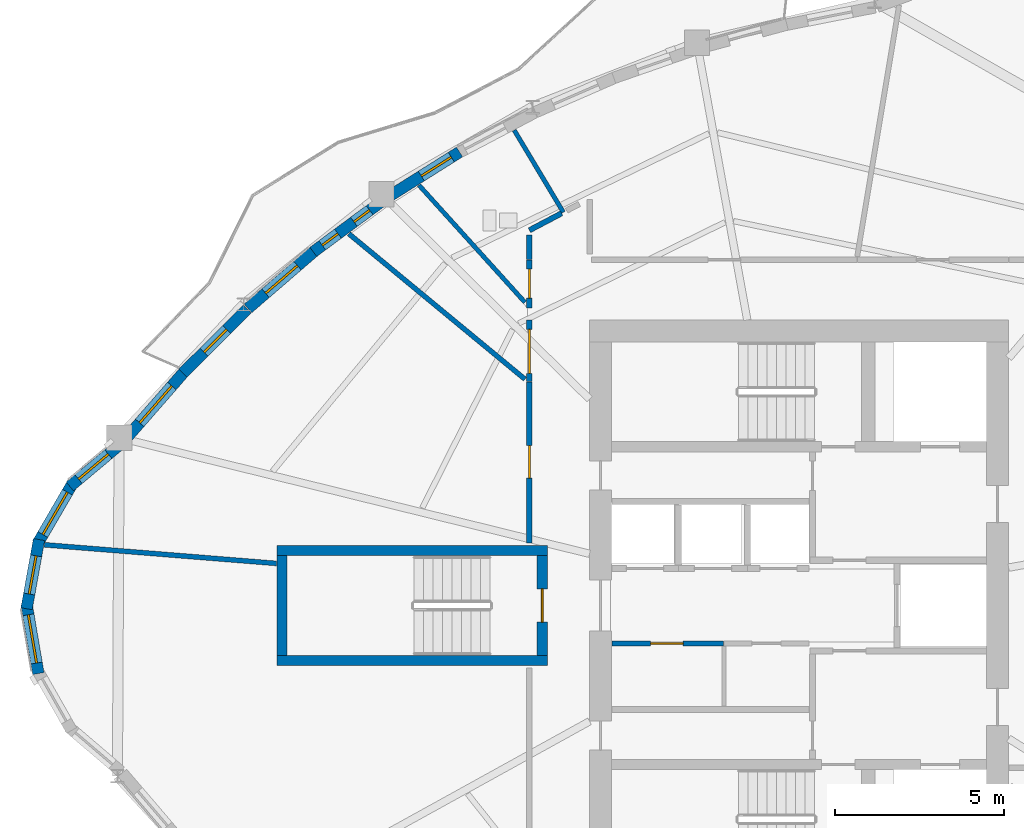
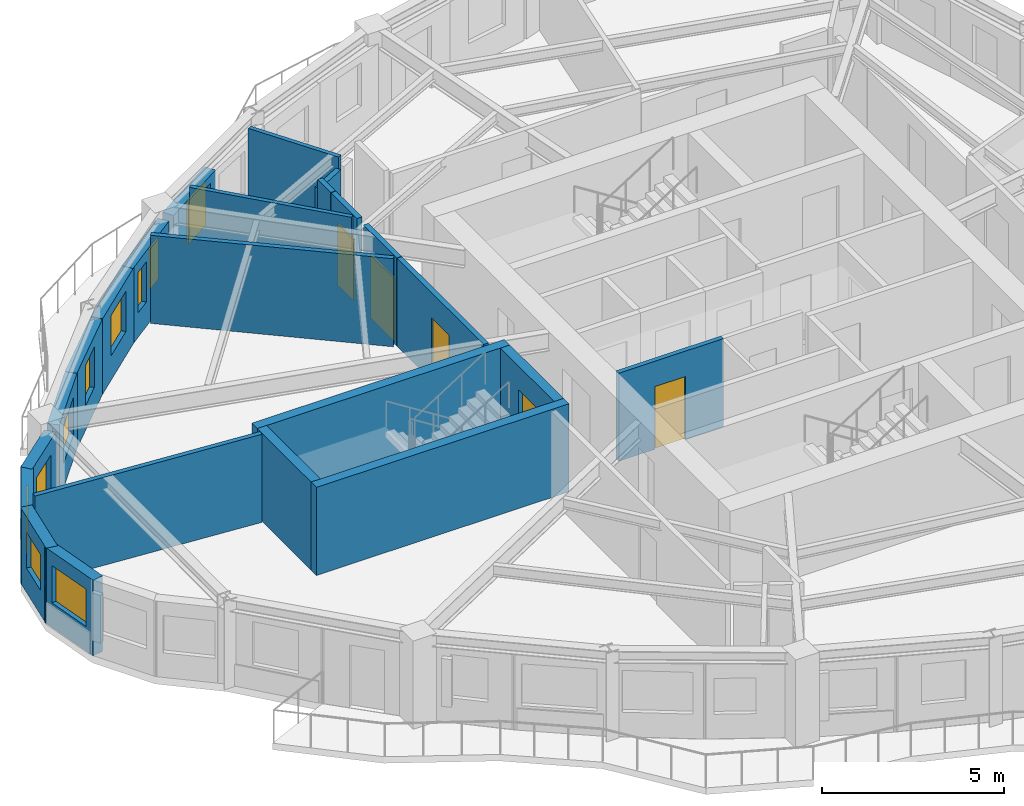
# One storey, part 4 of 11: 23 walls, 10 windows, 5 doors, 15 openings.
"""IFC4 building model written with IfcOpenShell, lengths in metres."""

from ifc_helpers import new_model, si_unit, direction, frame, frame_2d, origin, place, context, subcontext, project, spatial, rectangle, extrude, source, transform, mapped, material, layer, layer_set, type_object, element, fill, save


model = new_model("IFC4")

# Units and contexts
model_context = context("Model", 3, precision=1e-05, world=origin(), true_north=direction((0.0, 1.0)))
body_context = subcontext(model_context, "Body", "Model", "MODEL_VIEW")
ifc_project = project(units=[si_unit("LENGTHUNIT", "METRE"), si_unit("AREAUNIT", "SQUARE_METRE"), si_unit("VOLUMEUNIT", "CUBIC_METRE"), si_unit("PLANEANGLEUNIT", "RADIAN"), si_unit("MASSUNIT", "GRAM", prefix="KILO")], contexts=[model_context])

# Site, building, storey
site_placement = place(None, origin())
site = spatial("IfcSite", under=ifc_project, at=site_placement, CompositionType="ELEMENT")
building_placement = place(site_placement, origin())
building = spatial("IfcBuilding", under=site, at=building_placement, Name="Qafzar Sky-Pleat Residences", CompositionType="ELEMENT")
storey_placement = place(building_placement, frame((0.0, 0.0, 161.800048828125)))
storey = spatial("IfcBuildingStorey", under=building, at=storey_placement, Name="L48", CompositionType="ELEMENT", Elevation=161.800048828125)

# Wall, opening, door
ifc_material_1 = material(Name="Acoustic gypsum plasterboard partition", Category="gypsum")
ifc_layer_1 = layer(ifc_material_1, 0.159912109375)
ifc_layer_set_1 = layer_set([ifc_layer_1], Name="Acoustic gypsum plasterboard partition")
wall_type_1 = type_object("IfcWallType", Name="PART-COR-160", PredefinedType="PARTITIONING", material=ifc_layer_set_1)
wall_1_placement = place(storey_placement, frame((22.3701171875, 27.85009765625, 0.0), z_axis=(0.0, 0.0, 1.0), x_axis=(0.0, 1.0, 0.0)))
wall_1 = element("IfcWall", 1, at=wall_1_placement, inside=storey, type_object=wall_type_1, Name="L48 Partition Wall PART-L48-PW-004", PredefinedType="PARTITIONING", context=body_context, shape_type="SweptSolid", body=[
    extrude(rectangle(XDim=4.7587890625, YDim=0.159912109375, at=frame_2d((2.37939453125, 0.0))), origin(), (0.0, 0.0, 1.0), 2.949951171875),
])
opening_1_placement = place(wall_1_placement, frame((1.9189453125, 0.0, 0.0)))
opening_1 = element("IfcOpeningElement", 2, at=opening_1_placement, cuts=wall_1, Name="Opening ID-06", PredefinedType="OPENING", context=body_context, shape_type="SweptSolid", body=[
    extrude(rectangle(XDim=0.9599609375, YDim=2.10009765625, at=frame_2d((0.47998046875, 1.050048828125))), frame((0.0, 0.08984375, 0.0), z_axis=(0.0, -1.0, 0.0), x_axis=(1.0, 0.0, 0.0)), (0.0, 0.0, 1.0), 0.179931640625),
])
ifc_material_2 = material(Name="Timber-faced fire door", Category="wood")
door_type_1 = type_object("IfcDoorType", Name="DR-STD-960", OperationType="NOTDEFINED", PredefinedType="DOOR", material=ifc_material_2)
shared_shape_1 = source(origin(), body_context, "Body", "SweptSolid", [
    extrude(rectangle(XDim=0.9599609375, YDim=2.10009765625, at=frame_2d((0.47998046875, 1.050048828125))), frame((0.0, 0.02490234375, 0.0), z_axis=(0.0, -1.0, 0.0), x_axis=(1.0, 0.0, 0.0)), (0.0, 0.0, 1.0), 0.050048828125),
])
door_1_placement = place(opening_1_placement, origin())
door_1 = element("IfcDoor", 3, at=door_1_placement, inside=storey, type_object=door_type_1, Name="L48 Graduate Desk Workspace Door", OperationType="SINGLE_SWING_RIGHT", OverallHeight=2.10009765625, OverallWidth=0.9599609375, PredefinedType="DOOR", context=body_context, shape_type="MappedRepresentation", body=[
    mapped(shared_shape_1, transform((0.0, 0.0, 0.0), x_axis=(1.0, 0.0, 0.0), y_axis=(0.0, 1.0, 0.0), z_axis=(0.0, 0.0, 1.0), scale=1.0)),
])
fill(opening_1, door_1)

wall_2_placement = place(storey_placement, frame((22.3701171875, 32.6240234375, 0.0), z_axis=(0.0, 0.0, 1.0), x_axis=(0.0, 1.0, 0.0)))
wall_2 = element("IfcWall", 4, at=wall_2_placement, inside=storey, type_object=wall_type_1, Name="L48 Partition Wall PART-L48-PW-009", PredefinedType="PARTITIONING", context=body_context, shape_type="SweptSolid", body=[
    extrude(rectangle(XDim=1.825927734375, YDim=0.159912109375, at=frame_2d((0.9130859375, 0.0))), origin(), (0.0, 0.0, 1.0), 2.949951171875),
])
opening_2_placement = place(wall_2_placement, frame((0.24560546875, 0.0, 0.0)))
opening_2 = element("IfcOpeningElement", 5, at=opening_2_placement, cuts=wall_2, Name="Opening ID-05", PredefinedType="OPENING", context=body_context, shape_type="SweptSolid", body=[
    extrude(rectangle(XDim=1.300048828125, YDim=2.10009765625, at=frame_2d((0.64990234375, 1.050048828125))), frame((0.0, 0.08984375, 0.0), z_axis=(0.0, -1.0, 0.0), x_axis=(1.0, 0.0, 0.0)), (0.0, 0.0, 1.0), 0.179931640625),
])
door_type_2 = type_object("IfcDoorType", Name="DR-LNG-1300", OperationType="DOUBLE_DOOR_SINGLE_SWING", PredefinedType="DOOR", material=ifc_material_2)
shared_shape_2 = source(origin(), body_context, "Body", "SweptSolid", [
    extrude(rectangle(XDim=1.300048828125, YDim=2.10009765625, at=frame_2d((0.64990234375, 1.050048828125))), frame((0.0, 0.02490234375, 0.0), z_axis=(0.0, -1.0, 0.0), x_axis=(1.0, 0.0, 0.0)), (0.0, 0.0, 1.0), 0.050048828125),
])
door_2_placement = place(opening_2_placement, origin())
door_2 = element("IfcDoor", 6, at=door_2_placement, inside=storey, type_object=door_type_2, Name="L48 Scholar Study Room Door", OperationType="DOUBLE_DOOR_SINGLE_SWING", OverallHeight=2.10009765625, OverallWidth=1.300048828125, PredefinedType="DOOR", context=body_context, shape_type="MappedRepresentation", body=[
    mapped(shared_shape_2, transform((0.0, 0.0, 0.0), x_axis=(1.0, 0.0, 0.0), y_axis=(0.0, 1.0, 0.0), z_axis=(0.0, 0.0, 1.0), scale=1.0)),
])
fill(opening_2, door_2)

wall_3_placement = place(storey_placement, frame((22.3701171875, 34.802978515625, 0.0), z_axis=(0.0, 0.0, 1.0), x_axis=(0.0, 1.0, 0.0)))
wall_3 = element("IfcWall", 7, at=wall_3_placement, inside=storey, type_object=wall_type_1, Name="L48 Partition Wall PART-L48-PW-010", PredefinedType="PARTITIONING", context=body_context, shape_type="SweptSolid", body=[
    extrude(rectangle(XDim=1.427001953125, YDim=0.159912109375, at=frame_2d((0.71337890625, 0.0))), origin(), (0.0, 0.0, 1.0), 2.949951171875),
])
opening_3_placement = place(wall_3_placement, frame((0.294921875, 0.0, 0.0)))
opening_3 = element("IfcOpeningElement", 8, at=opening_3_placement, cuts=wall_3, Name="Opening ID-09", PredefinedType="OPENING", context=body_context, shape_type="SweptSolid", body=[
    extrude(rectangle(XDim=0.860107421875, YDim=2.050048828125, at=frame_2d((0.43017578125, 1.02490234375))), frame((0.0, 0.08984375, 0.0), z_axis=(0.0, -1.0, 0.0), x_axis=(1.0, 0.0, 0.0)), (0.0, 0.0, 1.0), 0.179931640625),
])
door_type_3 = type_object("IfcDoorType", Name="DR-SVC-860", OperationType="NOTDEFINED", PredefinedType="DOOR", material=ifc_material_2)
shared_shape_3 = source(origin(), body_context, "Body", "SweptSolid", [
    extrude(rectangle(XDim=0.860107421875, YDim=2.050048828125, at=frame_2d((0.43017578125, 1.02490234375))), frame((0.0, 0.02490234375, 0.0), z_axis=(0.0, -1.0, 0.0), x_axis=(1.0, 0.0, 0.0)), (0.0, 0.0, 1.0), 0.050048828125),
])
door_3_placement = place(opening_3_placement, origin())
door_3 = element("IfcDoor", 9, at=door_3_placement, inside=storey, type_object=door_type_3, Name="L48 Accessible Shared Washroom Door", OperationType="SINGLE_SWING_RIGHT", OverallHeight=2.050048828125, OverallWidth=0.860107421875, PredefinedType="DOOR", context=body_context, shape_type="MappedRepresentation", body=[
    mapped(shared_shape_3, transform((0.0, 0.0, 0.0), x_axis=(1.0, 0.0, 0.0), y_axis=(0.0, 1.0, 0.0), z_axis=(0.0, 0.0, 1.0), scale=1.0)),
])
fill(opening_3, door_3)

# Walls
wall_4_placement = place(storey_placement, frame((22.3701171875, 37.10498046875, 0.0), z_axis=(0.0, 0.0, 1.0), x_axis=(0.884455008011, 0.466625480234, 0.0)))
element("IfcWall", 10, at=wall_4_placement, inside=storey, type_object=wall_type_1, Name="L48 Partition Wall PART-L48-PW-025", PredefinedType="PARTITIONING", context=body_context, shape_type="SweptSolid", body=[
    extrude(rectangle(XDim=1.07568359375, YDim=0.159912109375, at=frame_2d((0.537841796875, 0.0))), origin(), (0.0, 0.0, 1.0), 2.557861328125),
])
wall_5_placement = place(storey_placement, frame((22.3701171875, 36.2451171875, 0.0), z_axis=(0.0, 0.0, 1.0), x_axis=(0.0, 1.0, 0.0)))
element("IfcWall", 11, at=wall_5_placement, inside=storey, type_object=wall_type_1, Name="L48 Partition Wall PART-L48-PW-027", PredefinedType="PARTITIONING", context=body_context, shape_type="SweptSolid", body=[
    extrude(rectangle(XDim=0.71923828125, YDim=0.159912109375, at=frame_2d((0.359619140625, 0.0))), origin(), (0.0, 0.0, 1.0), 2.949951171875),
])

# Wall, opening, door
ifc_layer_2 = layer(ifc_material_1, 0.14501953125)
ifc_layer_set_2 = layer_set([ifc_layer_2], Name="Acoustic gypsum plasterboard partition")
wall_type_2 = type_object("IfcWallType", Name="PART-UNIT-145", PredefinedType="PARTITIONING", material=ifc_layer_set_2)
wall_6_placement = place(storey_placement, frame((24.81005859375, 24.8798828125, 0.0), z_axis=(0.0, 0.0, 1.0), x_axis=(1.0, 0.0, 0.0)))
wall_6 = element("IfcWall", 12, at=wall_6_placement, inside=storey, type_object=wall_type_2, Name="L48 Partition Wall PART-L48-RECLAIM-N1", PredefinedType="PARTITIONING", context=body_context, shape_type="SweptSolid", body=[
    extrude(rectangle(XDim=3.31005859375, YDim=0.14501953125, at=frame_2d((1.655029296875, 0.0))), origin(), (0.0, 0.0, 1.0), 2.949951171875),
])
opening_4_placement = place(wall_6_placement, frame((1.14990234375, 0.0, 0.0)))
opening_4 = element("IfcOpeningElement", 13, at=opening_4_placement, cuts=wall_6, Name="Opening ID-06", PredefinedType="OPENING", context=body_context, shape_type="SweptSolid", body=[
    extrude(rectangle(XDim=0.9599609375, YDim=2.10009765625, at=frame_2d((0.47998046875, 1.050048828125))), frame((0.0, 0.08251953125, 0.0), z_axis=(0.0, -1.0, 0.0), x_axis=(1.0, 0.0, 0.0)), (0.0, 0.0, 1.0), 0.1650390625),
])
door_4_placement = place(opening_4_placement, origin())
door_4 = element("IfcDoor", 14, at=door_4_placement, inside=storey, type_object=door_type_1, Name="L48 Reclaimed Quiet Study Room Door", OperationType="SINGLE_SWING_LEFT", OverallHeight=2.10009765625, OverallWidth=0.9599609375, PredefinedType="DOOR", context=body_context, shape_type="MappedRepresentation", body=[
    mapped(shared_shape_1, transform((0.0, 0.0, 0.0), x_axis=(1.0, 0.0, 0.0), y_axis=(0.0, 1.0, 0.0), z_axis=(0.0, 0.0, 1.0), scale=1.0)),
])
fill(opening_4, door_4)

# Walls
wall_7_placement = place(storey_placement, frame((17.028076171875, 36.999755859375, 0.0), z_axis=(0.0, 0.0, 1.0), x_axis=(0.771119105053, -0.636690918596, 0.0)))
element("IfcWall", 15, at=wall_7_placement, inside=storey, type_object=wall_type_2, Name="L48 Partition Wall PART-L48-PW-013", PredefinedType="PARTITIONING", context=body_context, shape_type="SweptSolid", body=[
    extrude(rectangle(XDim=6.756103515625, YDim=0.14501953125, at=frame_2d((3.3779296875, 0.0))), origin(), (0.0, 0.0, 1.0), 2.949951171875),
])
wall_8_placement = place(storey_placement, frame((8.015380859375, 27.79736328125, 0.0), z_axis=(0.0, 0.0, 1.0), x_axis=(0.996785477909, -0.080116858581, 0.0)))
element("IfcWall", 16, at=wall_8_placement, inside=storey, type_object=wall_type_2, Name="L48 Partition Wall PART-L48-PW-014", PredefinedType="PARTITIONING", context=body_context, shape_type="SweptSolid", body=[
    extrude(rectangle(XDim=6.89306640625, YDim=0.14501953125, at=frame_2d((3.446533203125, 0.0))), origin(), (0.0, 0.0, 1.0), 2.949951171875),
])
ifc_material_3 = material(Name="Moisture-resistant gypsum partition", Category="gypsum")
ifc_layer_3 = layer(ifc_material_3, 0.1298828125)
ifc_layer_set_3 = layer_set([ifc_layer_3], Name="Moisture-resistant gypsum partition")
wall_type_3 = type_object("IfcWallType", Name="PART-WET-130", PredefinedType="PARTITIONING", material=ifc_layer_set_3)
wall_9_placement = place(storey_placement, frame((19.100830078125, 38.441162109375, 0.0), z_axis=(0.0, 0.0, 1.0), x_axis=(0.670702711046, -0.741726279295, 0.0)))
element("IfcWall", 17, at=wall_9_placement, inside=storey, type_object=wall_type_3, Name="L48 Partition Wall PART-L48-PW-017", PredefinedType="PARTITIONING", context=body_context, shape_type="SweptSolid", body=[
    extrude(rectangle(XDim=4.675048828125, YDim=0.1298828125, at=frame_2d((2.33740234375, 0.0))), origin(), (0.0, 0.0, 1.0), 2.949951171875),
])
wall_10_placement = place(storey_placement, frame((21.920166015625, 40.065185546875, 0.0), z_axis=(0.0, 0.0, 1.0), x_axis=(0.514051974364, -0.857759038223, 0.0)))
element("IfcWall", 18, at=wall_10_placement, inside=storey, type_object=wall_type_3, Name="L48 Partition Wall PART-L48-PW-019", PredefinedType="PARTITIONING", context=body_context, shape_type="SweptSolid", body=[
    extrude(rectangle(XDim=2.83203125, YDim=0.1298828125, at=frame_2d((1.416015625, 0.0))), origin(), (0.0, 0.0, 1.0), 2.949951171875),
])

# Wall, opening, window
ifc_material_4 = material(Name="Precast concrete C40/50 with honed Riyadh limestone", Category="concrete")
ifc_layer_4 = layer(ifc_material_4, 0.340087890625)
ifc_layer_set_4 = layer_set([ifc_layer_4], Name="Precast concrete C40/50 with honed Riyadh limestone")
wall_type_4 = type_object("IfcWallType", Name="WALL-EXT-340", PredefinedType="SOLIDWALL", material=ifc_layer_set_4)
wall_11_placement = place(storey_placement, frame((10.218994140625, 30.7373046875, 0.0), z_axis=(0.0, 0.0, 1.0), x_axis=(-0.76661852922, -0.642102819381, 0.0)))
wall_11 = element("IfcWall", 19, at=wall_11_placement, inside=storey, type_object=wall_type_4, Name="L48 Limestone Facade Wall 1", PredefinedType="SOLIDWALL", context=body_context, shape_type="SweptSolid", body=[
    extrude(rectangle(XDim=1.88818359375, YDim=0.340087890625, at=frame_2d((0.944091796875, 0.0))), origin(), (0.0, 0.0, 1.0), 2.530029296875),
])
opening_5_placement = place(wall_11_placement, frame((0.404052734375, 0.0, 0.820068359375)))
opening_5 = element("IfcOpeningElement", 20, at=opening_5_placement, cuts=wall_11, Name="Opening WN-16", PredefinedType="OPENING", context=body_context, shape_type="SweptSolid", body=[
    extrude(rectangle(XDim=1.14990234375, YDim=1.199951171875, at=frame_2d((0.574951171875, 0.60009765625))), frame((0.0, 0.18017578125, 0.0), z_axis=(0.0, -1.0, 0.0), x_axis=(1.0, 0.0, 0.0)), (0.0, 0.0, 1.0), 0.360107421875),
])
ifc_material_5 = material(Name="Solar-control low-E glass in bronze aluminium frame", Category="glass")
window_type_1 = type_object("IfcWindowType", Name="WIN-16", PartitioningType="SINGLE_PANEL", PredefinedType="WINDOW", material=ifc_material_5)
shared_shape_4 = source(origin(), body_context, "Body", "SweptSolid", [
    extrude(rectangle(XDim=1.14990234375, YDim=1.199951171875, at=frame_2d((0.574951171875, 0.60009765625))), frame((0.0, 0.030029296875, 0.0), z_axis=(0.0, -1.0, 0.0), x_axis=(1.0, 0.0, 0.0)), (0.0, 0.0, 1.0), 0.06005859375),
])
window_1_placement = place(opening_5_placement, origin())
window_1 = element("IfcWindow", 21, at=window_1_placement, inside=storey, type_object=window_type_1, Name="L48 Punched Facade Window 01", OverallHeight=1.199951171875, OverallWidth=1.14990234375, PartitioningType="SINGLE_PANEL", PredefinedType="WINDOW", context=body_context, shape_type="MappedRepresentation", body=[
    mapped(shared_shape_4, transform((0.0, 0.0, 0.0), x_axis=(1.0, 0.0, 0.0), y_axis=(0.0, 1.0, 0.0), z_axis=(0.0, 0.0, 1.0), scale=1.0)),
])
fill(opening_5, window_1)

wall_12_placement = place(storey_placement, frame((8.857666015625, 29.627197265625, 0.0), z_axis=(0.0, 0.0, 1.0), x_axis=(-0.502177965272, -0.864764298058, 0.0)))
wall_12 = element("IfcWall", 22, at=wall_12_placement, inside=storey, type_object=wall_type_4, Name="L48 Limestone Facade Wall 2", PredefinedType="SOLIDWALL", context=body_context, shape_type="SweptSolid", body=[
    extrude(rectangle(XDim=2.081298828125, YDim=0.340087890625, at=frame_2d((1.04052734375, 0.0))), origin(), (0.0, 0.0, 1.0), 2.530029296875),
])
opening_6_placement = place(wall_12_placement, frame((0.3154296875, 0.0, 0.820068359375)))
opening_6 = element("IfcOpeningElement", 23, at=opening_6_placement, cuts=wall_12, Name="Opening WN-15", PredefinedType="OPENING", context=body_context, shape_type="SweptSolid", body=[
    extrude(rectangle(XDim=1.449951171875, YDim=1.25, at=frame_2d((0.72509765625, 0.625))), frame((0.0, 0.18017578125, 0.0), z_axis=(0.0, -1.0, 0.0), x_axis=(1.0, 0.0, 0.0)), (0.0, 0.0, 1.0), 0.360107421875),
])
window_type_2 = type_object("IfcWindowType", Name="WIN-15", PartitioningType="SINGLE_PANEL", PredefinedType="WINDOW", material=ifc_material_5)
shared_shape_5 = source(origin(), body_context, "Body", "SweptSolid", [
    extrude(rectangle(XDim=1.449951171875, YDim=1.25, at=frame_2d((0.72509765625, 0.625))), frame((0.0, 0.030029296875, 0.0), z_axis=(0.0, -1.0, 0.0), x_axis=(1.0, 0.0, 0.0)), (0.0, 0.0, 1.0), 0.06005859375),
])
window_2_placement = place(opening_6_placement, origin())
window_2 = element("IfcWindow", 24, at=window_2_placement, inside=storey, type_object=window_type_2, Name="L48 Punched Facade Window 02", OverallHeight=1.25, OverallWidth=1.449951171875, PartitioningType="SINGLE_PANEL", PredefinedType="WINDOW", context=body_context, shape_type="MappedRepresentation", body=[
    mapped(shared_shape_5, transform((0.0, 0.0, 0.0), x_axis=(1.0, 0.0, 0.0), y_axis=(0.0, 1.0, 0.0), z_axis=(0.0, 0.0, 1.0), scale=1.0)),
])
fill(opening_6, window_2)

wall_13_placement = place(storey_placement, frame((7.858642578125, 27.952880859375, 0.0), z_axis=(0.0, 0.0, 1.0), x_axis=(-0.177605215389, -0.984101817632, 0.0)))
wall_13 = element("IfcWall", 25, at=wall_13_placement, inside=storey, type_object=wall_type_4, Name="L48 Limestone Facade Wall 3", PredefinedType="SOLIDWALL", context=body_context, shape_type="SweptSolid", body=[
    extrude(rectangle(XDim=2.081298828125, YDim=0.340087890625, at=frame_2d((1.04052734375, 0.0))), origin(), (0.0, 0.0, 1.0), 2.530029296875),
])
opening_7_placement = place(wall_13_placement, frame((0.4892578125, 0.0, 0.820068359375)))
opening_7 = element("IfcOpeningElement", 26, at=opening_7_placement, cuts=wall_13, Name="Opening WN-16", PredefinedType="OPENING", context=body_context, shape_type="SweptSolid", body=[
    extrude(rectangle(XDim=1.14990234375, YDim=1.199951171875, at=frame_2d((0.574951171875, 0.60009765625))), frame((0.0, 0.18017578125, 0.0), z_axis=(0.0, -1.0, 0.0), x_axis=(1.0, 0.0, 0.0)), (0.0, 0.0, 1.0), 0.360107421875),
])
window_3_placement = place(opening_7_placement, origin())
window_3 = element("IfcWindow", 27, at=window_3_placement, inside=storey, type_object=window_type_1, Name="L48 Punched Facade Window 03", OverallHeight=1.199951171875, OverallWidth=1.14990234375, PartitioningType="SINGLE_PANEL", PredefinedType="WINDOW", context=body_context, shape_type="MappedRepresentation", body=[
    mapped(shared_shape_4, transform((0.0, 0.0, 0.0), x_axis=(1.0, 0.0, 0.0), y_axis=(0.0, 1.0, 0.0), z_axis=(0.0, 0.0, 1.0), scale=1.0)),
])
fill(opening_7, window_3)

wall_14_placement = place(storey_placement, frame((7.48974609375, 26.038330078125, 0.0), z_axis=(0.0, 0.0, 1.0), x_axis=(0.168107405166, -0.985768685001, 0.0)))
wall_14 = element("IfcWall", 28, at=wall_14_placement, inside=storey, type_object=wall_type_4, Name="L48 Limestone Facade Wall 4", PredefinedType="SOLIDWALL", context=body_context, shape_type="SweptSolid", body=[
    extrude(rectangle(XDim=2.0810546875, YDim=0.340087890625, at=frame_2d((1.04052734375, 0.0))), origin(), (0.0, 0.0, 1.0), 2.530029296875),
])
opening_8_placement = place(wall_14_placement, frame((0.315673828125, 0.0, 0.820068359375)))
opening_8 = element("IfcOpeningElement", 29, at=opening_8_placement, cuts=wall_14, Name="Opening WN-15", PredefinedType="OPENING", context=body_context, shape_type="SweptSolid", body=[
    extrude(rectangle(XDim=1.449951171875, YDim=1.25, at=frame_2d((0.72509765625, 0.625))), frame((0.0, 0.18017578125, 0.0), z_axis=(0.0, -1.0, 0.0), x_axis=(1.0, 0.0, 0.0)), (0.0, 0.0, 1.0), 0.360107421875),
])
window_4_placement = place(opening_8_placement, origin())
window_4 = element("IfcWindow", 30, at=window_4_placement, inside=storey, type_object=window_type_2, Name="L48 Punched Facade Window 04", OverallHeight=1.25, OverallWidth=1.449951171875, PartitioningType="SINGLE_PANEL", PredefinedType="WINDOW", context=body_context, shape_type="MappedRepresentation", body=[
    mapped(shared_shape_5, transform((0.0, 0.0, 0.0), x_axis=(1.0, 0.0, 0.0), y_axis=(0.0, 1.0, 0.0), z_axis=(0.0, 0.0, 1.0), scale=1.0)),
])
fill(opening_8, window_4)

wall_15_placement = place(storey_placement, frame((20.302734375, 39.4208984375, 0.0), z_axis=(0.0, 0.0, 1.0), x_axis=(-0.846381586821, -0.532576951707, 0.0)))
wall_15 = element("IfcWall", 31, at=wall_15_placement, inside=storey, type_object=wall_type_4, Name="L48 Limestone Facade Wall 44", PredefinedType="SOLIDWALL", context=body_context, shape_type="SweptSolid", body=[
    extrude(rectangle(XDim=2.46630859375, YDim=0.340087890625, at=frame_2d((1.233154296875, 0.0))), origin(), (0.0, 0.0, 1.0), 2.530029296875),
])
opening_9_placement = place(wall_15_placement, frame((0.287109375, 0.0, 0.820068359375)))
opening_9 = element("IfcOpeningElement", 32, at=opening_9_placement, cuts=wall_15, Name="Opening WN-06", PredefinedType="OPENING", context=body_context, shape_type="SweptSolid", body=[
    extrude(rectangle(XDim=1.050048828125, YDim=1.449951171875, at=frame_2d((0.52490234375, 0.72509765625))), frame((0.0, 0.18017578125, 0.0), z_axis=(0.0, -1.0, 0.0), x_axis=(1.0, 0.0, 0.0)), (0.0, 0.0, 1.0), 0.360107421875),
])
window_type_3 = type_object("IfcWindowType", Name="WIN-06", PartitioningType="SINGLE_PANEL", PredefinedType="WINDOW", material=ifc_material_5)
shared_shape_6 = source(origin(), body_context, "Body", "SweptSolid", [
    extrude(rectangle(XDim=1.050048828125, YDim=1.449951171875, at=frame_2d((0.52490234375, 0.72509765625))), frame((0.0, 0.030029296875, 0.0), z_axis=(0.0, -1.0, 0.0), x_axis=(1.0, 0.0, 0.0)), (0.0, 0.0, 1.0), 0.06005859375),
])
window_5_placement = place(opening_9_placement, origin())
window_5 = element("IfcWindow", 33, at=window_5_placement, inside=storey, type_object=window_type_3, Name="L48 Punched Facade Window 44", OverallHeight=1.449951171875, OverallWidth=1.050048828125, PartitioningType="SINGLE_PANEL", PredefinedType="WINDOW", context=body_context, shape_type="MappedRepresentation", body=[
    mapped(shared_shape_6, transform((0.0, 0.0, 0.0), x_axis=(1.0, 0.0, 0.0), y_axis=(0.0, 1.0, 0.0), z_axis=(0.0, 0.0, 1.0), scale=1.0)),
])
fill(opening_9, window_5)

# Wall, openings, windows
wall_16_placement = place(storey_placement, frame((17.97021484375, 37.93994140625, 0.0), z_axis=(0.0, 0.0, 1.0), x_axis=(-0.803844722302, -0.594839190393, 0.0)))
wall_16 = element("IfcWall", 34, at=wall_16_placement, inside=storey, type_object=wall_type_4, Name="L48 Limestone Facade Wall 45", PredefinedType="SOLIDWALL", context=body_context, shape_type="SweptSolid", body=[
    extrude(rectangle(XDim=2.48095703125, YDim=0.340087890625, at=frame_2d((1.240478515625, 0.0))), origin(), (0.0, 0.0, 1.0), 2.530029296875),
])
opening_10_placement = place(wall_16_placement, frame((0.4072265625, 0.0, 0.820068359375)))
opening_10 = element("IfcOpeningElement", 35, at=opening_10_placement, cuts=wall_16, Name="Opening WN-17", PredefinedType="OPENING", context=body_context, shape_type="SweptSolid", body=[
    extrude(rectangle(XDim=0.580078125, YDim=1.35009765625, at=frame_2d((0.2900390625, 0.675048828125))), frame((0.0, 0.18017578125, 0.0), z_axis=(0.0, -1.0, 0.0), x_axis=(1.0, 0.0, 0.0)), (0.0, 0.0, 1.0), 0.360107421875),
])
opening_11_placement = place(wall_16_placement, frame((1.572998046875, 0.0, 0.820068359375)))
opening_11 = element("IfcOpeningElement", 36, at=opening_11_placement, cuts=wall_16, Name="Opening WN-17", PredefinedType="OPENING", context=body_context, shape_type="SweptSolid", body=[
    extrude(rectangle(XDim=0.580078125, YDim=1.35009765625, at=frame_2d((0.2900390625, 0.675048828125))), frame((0.0, 0.18017578125, 0.0), z_axis=(0.0, -1.0, 0.0), x_axis=(1.0, 0.0, 0.0)), (0.0, 0.0, 1.0), 0.360107421875),
])
window_type_4 = type_object("IfcWindowType", Name="WIN-17", PartitioningType="SINGLE_PANEL", PredefinedType="WINDOW", material=ifc_material_5)
shared_shape_7 = source(origin(), body_context, "Body", "SweptSolid", [
    extrude(rectangle(XDim=0.580078125, YDim=1.35009765625, at=frame_2d((0.2900390625, 0.675048828125))), frame((0.0, 0.030029296875, 0.0), z_axis=(0.0, -1.0, 0.0), x_axis=(1.0, 0.0, 0.0)), (0.0, 0.0, 1.0), 0.06005859375),
])
window_6_placement = place(opening_10_placement, origin())
window_6 = element("IfcWindow", 37, at=window_6_placement, inside=storey, type_object=window_type_4, Name="L48 Punched Facade Window 45", OverallHeight=1.35009765625, OverallWidth=0.580078125, PartitioningType="SINGLE_PANEL", PredefinedType="WINDOW", context=body_context, shape_type="MappedRepresentation", body=[
    mapped(shared_shape_7, transform((0.0, 0.0, 0.0), x_axis=(1.0, 0.0, 0.0), y_axis=(0.0, 1.0, 0.0), z_axis=(0.0, 0.0, 1.0), scale=1.0)),
])
fill(opening_10, window_6)
window_7_placement = place(opening_11_placement, origin())
window_7 = element("IfcWindow", 38, at=window_7_placement, inside=storey, type_object=window_type_4, Name="L48 Punched Facade Window 45-2", OverallHeight=1.35009765625, OverallWidth=0.580078125, PartitioningType="SINGLE_PANEL", PredefinedType="WINDOW", context=body_context, shape_type="MappedRepresentation", body=[
    mapped(shared_shape_7, transform((0.0, 0.0, 0.0), x_axis=(1.0, 0.0, 0.0), y_axis=(0.0, 1.0, 0.0), z_axis=(0.0, 0.0, 1.0), scale=1.0)),
])
fill(opening_11, window_7)

# Wall, opening, window
wall_17_placement = place(storey_placement, frame((16.044921875, 36.519287109375, 0.0), z_axis=(0.0, 0.0, 1.0), x_axis=(-0.757449302754, -0.652893983551, 0.0)))
wall_17 = element("IfcWall", 39, at=wall_17_placement, inside=storey, type_object=wall_type_4, Name="L48 Limestone Facade Wall 46", PredefinedType="SOLIDWALL", context=body_context, shape_type="SweptSolid", body=[
    extrude(rectangle(XDim=2.6455078125, YDim=0.340087890625, at=frame_2d((1.32275390625, 0.0))), origin(), (0.0, 0.0, 1.0), 2.530029296875),
])
opening_12_placement = place(wall_17_placement, frame((0.707763671875, 0.0, 0.820068359375)))
opening_12 = element("IfcOpeningElement", 40, at=opening_12_placement, cuts=wall_17, Name="Opening WN-11", PredefinedType="OPENING", context=body_context, shape_type="SweptSolid", body=[
    extrude(rectangle(XDim=1.25, YDim=1.35009765625, at=frame_2d((0.625, 0.675048828125))), frame((0.0, 0.18017578125, 0.0), z_axis=(0.0, -1.0, 0.0), x_axis=(1.0, 0.0, 0.0)), (0.0, 0.0, 1.0), 0.360107421875),
])
window_type_5 = type_object("IfcWindowType", Name="WIN-11", PartitioningType="SINGLE_PANEL", PredefinedType="WINDOW", material=ifc_material_5)
shared_shape_8 = source(origin(), body_context, "Body", "SweptSolid", [
    extrude(rectangle(XDim=1.25, YDim=1.35009765625, at=frame_2d((0.625, 0.675048828125))), frame((0.0, 0.030029296875, 0.0), z_axis=(0.0, -1.0, 0.0), x_axis=(1.0, 0.0, 0.0)), (0.0, 0.0, 1.0), 0.06005859375),
])
window_8_placement = place(opening_12_placement, origin())
window_8 = element("IfcWindow", 41, at=window_8_placement, inside=storey, type_object=window_type_5, Name="L48 Punched Facade Window 46", OverallHeight=1.35009765625, OverallWidth=1.25, PartitioningType="SINGLE_PANEL", PredefinedType="WINDOW", context=body_context, shape_type="MappedRepresentation", body=[
    mapped(shared_shape_8, transform((0.0, 0.0, 0.0), x_axis=(1.0, 0.0, 0.0), y_axis=(0.0, 1.0, 0.0), z_axis=(0.0, 0.0, 1.0), scale=1.0)),
])
fill(opening_12, window_8)

wall_18_placement = place(storey_placement, frame((14.020751953125, 34.773193359375, 0.0), z_axis=(0.0, 0.0, 1.0), x_axis=(-0.708421987765, -0.705789123784, 0.0)))
wall_18 = element("IfcWall", 42, at=wall_18_placement, inside=storey, type_object=wall_type_4, Name="L48 Limestone Facade Wall 47", PredefinedType="SOLIDWALL", context=body_context, shape_type="SweptSolid", body=[
    extrude(rectangle(XDim=2.689208984375, YDim=0.340087890625, at=frame_2d((1.3447265625, 0.0))), origin(), (0.0, 0.0, 1.0), 2.530029296875),
])
opening_13_placement = place(wall_18_placement, frame((0.859619140625, 0.0, 0.820068359375)))
opening_13 = element("IfcOpeningElement", 43, at=opening_13_placement, cuts=wall_18, Name="Opening WN-12", PredefinedType="OPENING", context=body_context, shape_type="SweptSolid", body=[
    extrude(rectangle(XDim=0.949951171875, YDim=1.35009765625, at=frame_2d((0.47509765625, 0.675048828125))), frame((0.0, 0.18017578125, 0.0), z_axis=(0.0, -1.0, 0.0), x_axis=(1.0, 0.0, 0.0)), (0.0, 0.0, 1.0), 0.360107421875),
])
window_type_6 = type_object("IfcWindowType", Name="WIN-12", PartitioningType="SINGLE_PANEL", PredefinedType="WINDOW", material=ifc_material_5)
shared_shape_9 = source(origin(), body_context, "Body", "SweptSolid", [
    extrude(rectangle(XDim=0.949951171875, YDim=1.35009765625, at=frame_2d((0.47509765625, 0.675048828125))), frame((0.0, 0.030029296875, 0.0), z_axis=(0.0, -1.0, 0.0), x_axis=(1.0, 0.0, 0.0)), (0.0, 0.0, 1.0), 0.06005859375),
])
window_9_placement = place(opening_13_placement, origin())
window_9 = element("IfcWindow", 44, at=window_9_placement, inside=storey, type_object=window_type_6, Name="L48 Punched Facade Window 47", OverallHeight=1.35009765625, OverallWidth=0.949951171875, PartitioningType="SINGLE_PANEL", PredefinedType="WINDOW", context=body_context, shape_type="MappedRepresentation", body=[
    mapped(shared_shape_9, transform((0.0, 0.0, 0.0), x_axis=(1.0, 0.0, 0.0), y_axis=(0.0, 1.0, 0.0), z_axis=(0.0, 0.0, 1.0), scale=1.0)),
])
fill(opening_13, window_9)

wall_19_placement = place(storey_placement, frame((12.17578125, 32.939208984375, 0.0), z_axis=(0.0, 0.0, 1.0), x_axis=(-0.65766354423, -0.753311796397, 0.0)))
wall_19 = element("IfcWall", 45, at=wall_19_placement, inside=storey, type_object=wall_type_4, Name="L48 Limestone Facade Wall 48", PredefinedType="SOLIDWALL", context=body_context, shape_type="SweptSolid", body=[
    extrude(rectangle(XDim=2.611083984375, YDim=0.340087890625, at=frame_2d((1.3056640625, 0.0))), origin(), (0.0, 0.0, 1.0), 2.530029296875),
])
opening_14_placement = place(wall_19_placement, frame((0.585693359375, 0.0, 0.820068359375)))
opening_14 = element("IfcOpeningElement", 46, at=opening_14_placement, cuts=wall_19, Name="Opening WN-15", PredefinedType="OPENING", context=body_context, shape_type="SweptSolid", body=[
    extrude(rectangle(XDim=1.449951171875, YDim=1.25, at=frame_2d((0.72509765625, 0.625))), frame((0.0, 0.18017578125, 0.0), z_axis=(0.0, -1.0, 0.0), x_axis=(1.0, 0.0, 0.0)), (0.0, 0.0, 1.0), 0.360107421875),
])
window_10_placement = place(opening_14_placement, origin())
window_10 = element("IfcWindow", 47, at=window_10_placement, inside=storey, type_object=window_type_2, Name="L48 Punched Facade Window 48", OverallHeight=1.25, OverallWidth=1.449951171875, PartitioningType="SINGLE_PANEL", PredefinedType="WINDOW", context=body_context, shape_type="MappedRepresentation", body=[
    mapped(shared_shape_5, transform((0.0, 0.0, 0.0), x_axis=(1.0, 0.0, 0.0), y_axis=(0.0, 1.0, 0.0), z_axis=(0.0, 0.0, 1.0), scale=1.0)),
])
fill(opening_14, window_10)

# Walls
ifc_material_6 = material(Name="Concrete C60/75", Category="concrete")
ifc_layer_5 = layer(ifc_material_6, 0.300048828125)
ifc_layer_set_5 = layer_set([ifc_layer_5], Name="Concrete C60/75")
wall_type_5 = type_object("IfcWallType", Name="WALL-SHEAR-300", PredefinedType="SHEAR", material=ifc_layer_set_5)
for number, where, z_axis, x_axis, name in (
    (48, (14.89990234375, 24.375, 0.0), (0.0, 0.0, 1.0), (1.0, 0.0, 0.0), "L48 ST3 wall S"),
    (49, (22.89990234375, 27.625, 0.0), (0.0, 0.0, 1.0), (-1.0, 0.0, 0.0), "L48 ST3 wall N"),
):
    element("IfcWall", number, at=place(storey_placement, frame(where, z_axis=z_axis, x_axis=x_axis)), inside=storey, type_object=wall_type_5, Name=name, PredefinedType="SHEAR", context=body_context, shape_type="SweptSolid", body=[
        extrude(rectangle(XDim=8.0, YDim=0.300048828125, at=frame_2d((4.0, 0.0))), origin(), (0.0, 0.0, 1.0), 2.949951171875),
    ])
wall_20_placement = place(storey_placement, frame((15.050048828125, 27.47509765625, 0.0), z_axis=(0.0, 0.0, 1.0), x_axis=(0.0, -1.0, 0.0)))
element("IfcWall", 50, at=wall_20_placement, inside=storey, type_object=wall_type_5, Name="L48 ST3 wall W", PredefinedType="SHEAR", context=body_context, shape_type="SweptSolid", body=[
    extrude(rectangle(XDim=2.9501953125, YDim=0.300048828125, at=frame_2d((1.47509765625, 0.0))), origin(), (0.0, 0.0, 1.0), 2.949951171875),
])

# Wall, opening, door
wall_21_placement = place(storey_placement, frame((22.75, 24.52490234375, 0.0), z_axis=(0.0, 0.0, 1.0), x_axis=(0.0, 1.0, 0.0)))
wall_21 = element("IfcWall", 51, at=wall_21_placement, inside=storey, type_object=wall_type_5, Name="L48 ST3 wall E", PredefinedType="SHEAR", context=body_context, shape_type="SweptSolid", body=[
    extrude(rectangle(XDim=2.9501953125, YDim=0.300048828125, at=frame_2d((1.47509765625, 0.0))), origin(), (0.0, 0.0, 1.0), 2.949951171875),
])
opening_15_placement = place(wall_21_placement, frame((0.985107421875, 0.0, 0.0)))
opening_15 = element("IfcOpeningElement", 52, at=opening_15_placement, cuts=wall_21, Name="Opening ID-01", PredefinedType="OPENING", context=body_context, shape_type="SweptSolid", body=[
    extrude(rectangle(XDim=0.97998046875, YDim=2.14990234375, at=frame_2d((0.489990234375, 1.074951171875))), frame((0.0, 0.16015625, 0.0), z_axis=(0.0, -1.0, 0.0), x_axis=(1.0, 0.0, 0.0)), (0.0, 0.0, 1.0), 0.320068359375),
])
door_type_4 = type_object("IfcDoorType", Name="DR-STAIR-980", OperationType="NOTDEFINED", PredefinedType="DOOR", material=ifc_material_2)
shared_shape_10 = source(origin(), body_context, "Body", "SweptSolid", [
    extrude(rectangle(XDim=0.97998046875, YDim=2.14990234375, at=frame_2d((0.489990234375, 1.074951171875))), frame((0.0, 0.02490234375, 0.0), z_axis=(0.0, -1.0, 0.0), x_axis=(1.0, 0.0, 0.0)), (0.0, 0.0, 1.0), 0.050048828125),
])
door_5_placement = place(opening_15_placement, origin())
door_5 = element("IfcDoor", 53, at=door_5_placement, inside=storey, type_object=door_type_4, Name="L48 Stair ST3 Fire Door", OperationType="SINGLE_SWING_RIGHT", OverallHeight=2.14990234375, OverallWidth=0.97998046875, PredefinedType="DOOR", context=body_context, shape_type="MappedRepresentation", body=[
    mapped(shared_shape_10, transform((0.0, 0.0, 0.0), x_axis=(1.0, 0.0, 0.0), y_axis=(0.0, 1.0, 0.0), z_axis=(0.0, 0.0, 1.0), scale=1.0)),
])
fill(opening_15, door_5)

save(model, "model.ifc")
